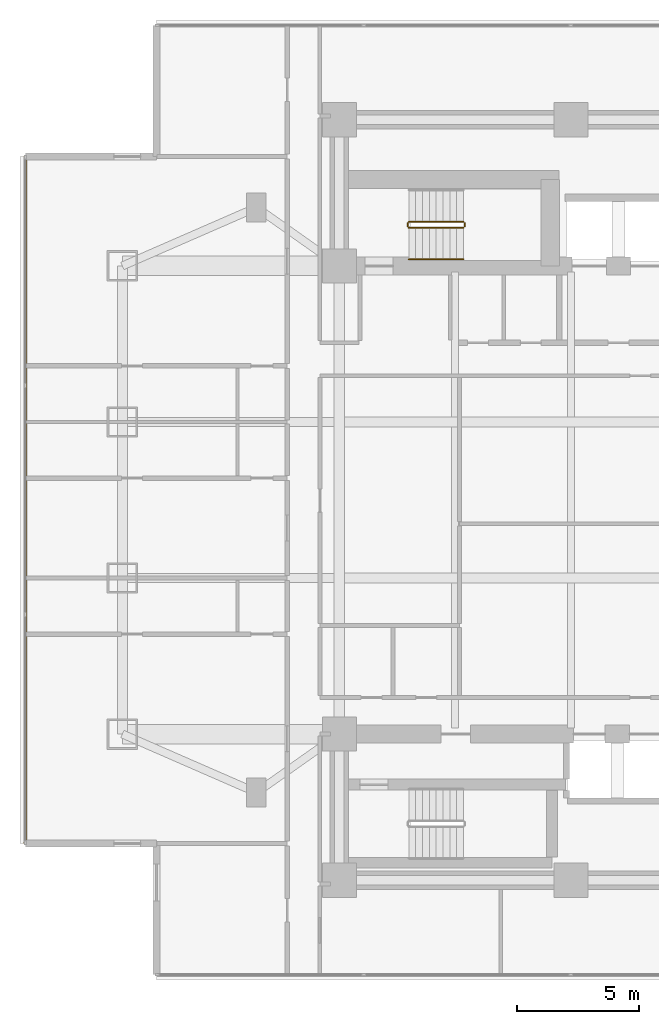
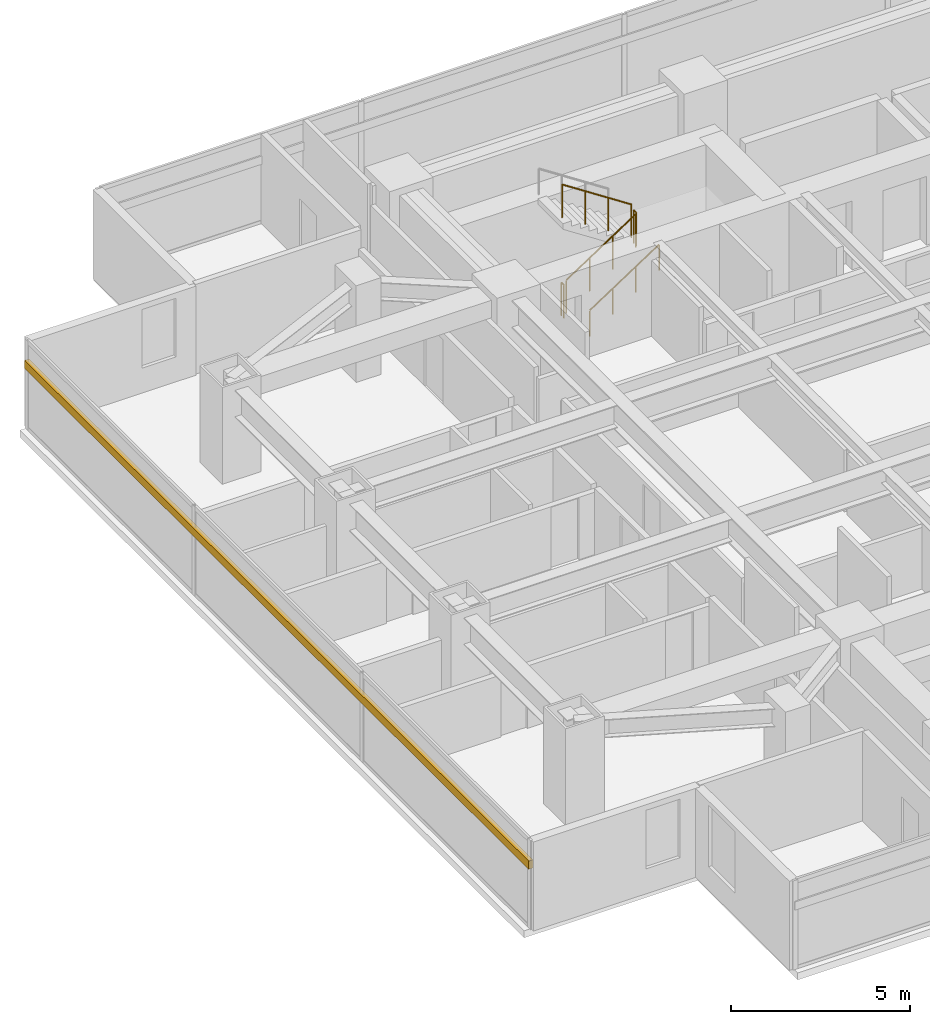
# One storey, part 23 of 26: 5 railings, 1 shading device.
"""IFC4 building model written with IfcOpenShell, lengths in metres."""

from ifc_helpers import new_model, si_unit, direction, frame, origin, origin_2d, place, context, subcontext, project, spatial, rectangle, circle, extrude, material, material_profile, profile_set, type_object, element, save


model = new_model("IFC4")

# Units and contexts
model_context = context("Model", 3, precision=1e-05, world=origin(), true_north=direction((0.0, 1.0)))
body_context = subcontext(model_context, "Body", "Model", "MODEL_VIEW")
ifc_project = project(units=[si_unit("LENGTHUNIT", "METRE"), si_unit("AREAUNIT", "SQUARE_METRE"), si_unit("VOLUMEUNIT", "CUBIC_METRE"), si_unit("PLANEANGLEUNIT", "RADIAN"), si_unit("MASSUNIT", "GRAM", prefix="KILO")], contexts=[model_context])

# Site, building, storey
site_placement = place(None, origin())
site = spatial("IfcSite", under=ifc_project, at=site_placement, CompositionType="ELEMENT")
building_placement = place(site_placement, origin())
building = spatial("IfcBuilding", under=site, at=building_placement, Name="Mirazonda Arch Towers", CompositionType="ELEMENT")
storey_placement = place(building_placement, frame((0.0, 0.0, 38.89990234375)))
storey = spatial("IfcBuildingStorey", under=building, at=storey_placement, Name="L10", CompositionType="ELEMENT", Elevation=38.89990234375)

# Shading device
ifc_material_1 = material(Name="Kiln-Fired Architectural Terracotta", Category="masonry")
ifc_material_profile = material_profile(ifc_material_1, rectangle(XDim=0.139892578125, YDim=0.280029296875, at=origin_2d()), Name="TERRA-BAG-140x280")
ifc_profile_set = profile_set([ifc_material_profile], Name="Kiln-Fired Architectural Terracotta")
shading_device_type = type_object("IfcShadingDeviceType", Name="BAGUETTE-3", PredefinedType="USERDEFINED", material=ifc_profile_set)
shading_device_placement = place(storey_placement, frame((-1.8798828125, 42.090087890625, 2.18896484375), z_axis=(0.0, -1.0, 0.0), x_axis=(1.0, 0.0, 0.0)))
element("IfcShadingDevice", 1, at=shading_device_placement, inside=storey, type_object=shading_device_type, Name="L10 Glazed Terracotta Sun-Screen Baguette CW-L10-T1-W", ObjectType="BAGUETTE", PredefinedType="USERDEFINED", context=body_context, shape_type="SweptSolid", body=[
    extrude(rectangle(XDim=0.139892578125, YDim=0.280029296875, at=origin_2d()), origin(), (0.0, 0.0, 1.0), 28.18017578125),
])

# Railings
ifc_material_2 = material(Name="Architectural Brushed Steel S355", Category="steel")
railing_type_1 = type_object("IfcRailingType", Name="GUARD-STAIR-1120", PredefinedType="GUARDRAIL", material=ifc_material_2)
railing_1_placement = place(storey_placement, frame((13.85009765625, 39.169921875, 0.183349609375)))
element("IfcRailing", 2, at=railing_1_placement, inside=storey, type_object=railing_type_1, Name="L10 ST-T1N stair guard 1", PredefinedType="GUARDRAIL", context=body_context, shape_type="SweptSolid", body=[
    extrude(circle(Radius=0.02392578125, at=origin_2d()), frame((0.0, 0.0, 1.1259765625), z_axis=(0.836595146698, 0.0, 0.547821650285), x_axis=(0.0, 1.0, 0.0)), (0.0, 0.0, 1.0), 2.677490234375),
    extrude(circle(Radius=0.02099609375, at=origin_2d()), origin(), (0.0, 0.0, 1.0), 1.101806640625),
    extrude(circle(Radius=0.02099609375, at=origin_2d()), frame((0.74658203125, 0.0, 0.489013671875)), (0.0, 0.0, 1.0), 1.101806640625),
    extrude(circle(Radius=0.02099609375, at=origin_2d()), frame((1.493408203125, 0.0, 0.977783203125)), (0.0, 0.0, 1.0), 1.101806640625),
    extrude(circle(Radius=0.02099609375, at=origin_2d()), frame((2.239990234375, 0.0, 1.466796875)), (0.0, 0.0, 1.0), 1.101806640625),
])
railing_2_placement = place(storey_placement, frame((16.139892578125, 39.219970703125, 1.650146484375)))
element("IfcRailing", 3, at=railing_2_placement, inside=storey, type_object=railing_type_1, Name="L10 ST-T1N stair guard 2", PredefinedType="GUARDRAIL", context=body_context, shape_type="SweptSolid", body=[
    extrude(circle(Radius=0.02392578125, at=origin_2d()), frame((0.0, 0.0, 1.1259765625), z_axis=(0.0, 1.0, 0.0), x_axis=(-1.0, 0.0, 0.0)), (0.0, 0.0, 1.0), 0.14013671875),
    extrude(circle(Radius=0.02099609375, at=origin_2d()), origin(), (0.0, 0.0, 1.0), 1.101806640625),
    extrude(circle(Radius=0.02099609375, at=origin_2d()), frame((0.0, 0.14013671875, 0.0)), (0.0, 0.0, 1.0), 1.101806640625),
])
railing_3_placement = place(storey_placement, frame((16.090087890625, 39.409912109375, 1.83349609375)))
element("IfcRailing", 4, at=railing_3_placement, inside=storey, type_object=railing_type_1, Name="L10 ST-T1N stair guard 3", PredefinedType="GUARDRAIL", context=body_context, shape_type="SweptSolid", body=[
    extrude(circle(Radius=0.02392578125, at=origin_2d()), frame((0.0, 0.0, 1.1259765625), z_axis=(-0.836636935527, 0.0, 0.547757827979), x_axis=(0.0, -1.0, 0.0)), (0.0, 0.0, 1.0), 2.677490234375),
    extrude(circle(Radius=0.02099609375, at=origin_2d()), origin(), (0.0, 0.0, 1.0), 1.101806640625),
    extrude(circle(Radius=0.02099609375, at=origin_2d()), frame((-0.74658203125, 0.0, 0.48876953125)), (0.0, 0.0, 1.0), 1.101806640625),
    extrude(circle(Radius=0.02099609375, at=origin_2d()), frame((-1.493408203125, 0.0, 0.977783203125)), (0.0, 0.0, 1.0), 1.101806640625),
    extrude(circle(Radius=0.02099609375, at=origin_2d()), frame((-2.239990234375, 0.0, 1.466552734375)), (0.0, 0.0, 1.0), 1.101806640625),
])
railing_4_placement = place(storey_placement, frame((13.800048828125, 39.219970703125, 0.0)))
element("IfcRailing", 5, at=railing_4_placement, inside=storey, type_object=railing_type_1, Name="L10 ST-T1N stair guard 4", PredefinedType="GUARDRAIL", context=body_context, shape_type="SweptSolid", body=[
    extrude(circle(Radius=0.02392578125, at=origin_2d()), frame((0.0, 0.0, 1.1259765625), z_axis=(0.0, 1.0, 0.0), x_axis=(-1.0, 0.0, 0.0)), (0.0, 0.0, 1.0), 0.14013671875),
    extrude(circle(Radius=0.02099609375, at=origin_2d()), origin(), (0.0, 0.0, 1.0), 1.101806640625),
    extrude(circle(Radius=0.02099609375, at=origin_2d()), frame((0.0, 0.14013671875, 0.0)), (0.0, 0.0, 1.0), 1.101806640625),
])
railing_type_2 = type_object("IfcRailingType", Name="HANDRAIL-915", PredefinedType="HANDRAIL", material=ifc_material_2)
railing_5_placement = place(storey_placement, frame((13.85009765625, 37.8701171875, 0.183349609375)))
element("IfcRailing", 6, at=railing_5_placement, inside=storey, type_object=railing_type_2, Name="L10 ST-T1N stair handrail 1", PredefinedType="HANDRAIL", context=body_context, shape_type="SweptSolid", body=[
    extrude(circle(Radius=0.02392578125, at=origin_2d()), frame((0.0, 0.0, 0.8759765625), z_axis=(0.836595146698, 0.0, 0.547821650285), x_axis=(0.0, 1.0, 0.0)), (0.0, 0.0, 1.0), 2.677490234375),
    extrude(circle(Radius=0.02099609375, at=origin_2d()), origin(), (0.0, 0.0, 1.0), 0.851806640625),
    extrude(circle(Radius=0.02099609375, at=origin_2d()), frame((0.74658203125, 0.0, 0.489013671875)), (0.0, 0.0, 1.0), 0.851806640625),
    extrude(circle(Radius=0.02099609375, at=origin_2d()), frame((1.493408203125, 0.0, 0.977783203125)), (0.0, 0.0, 1.0), 0.851806640625),
    extrude(circle(Radius=0.02099609375, at=origin_2d()), frame((2.239990234375, 0.0, 1.466796875)), (0.0, 0.0, 1.0), 0.851806640625),
])

save(model, "model.ifc")
